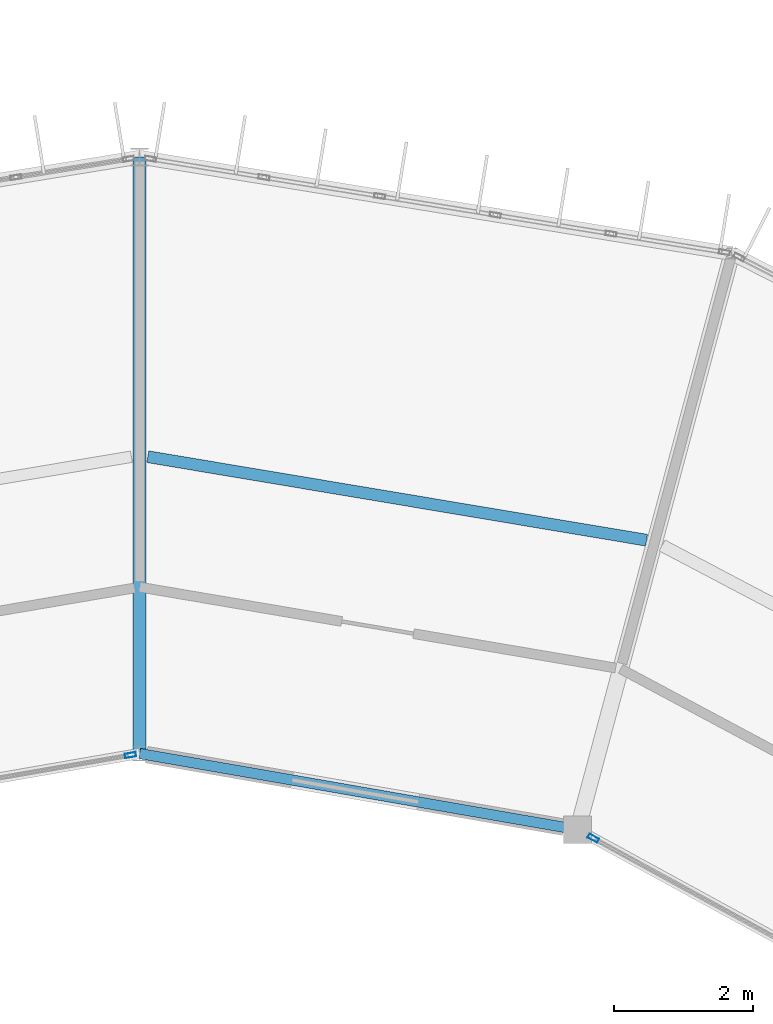
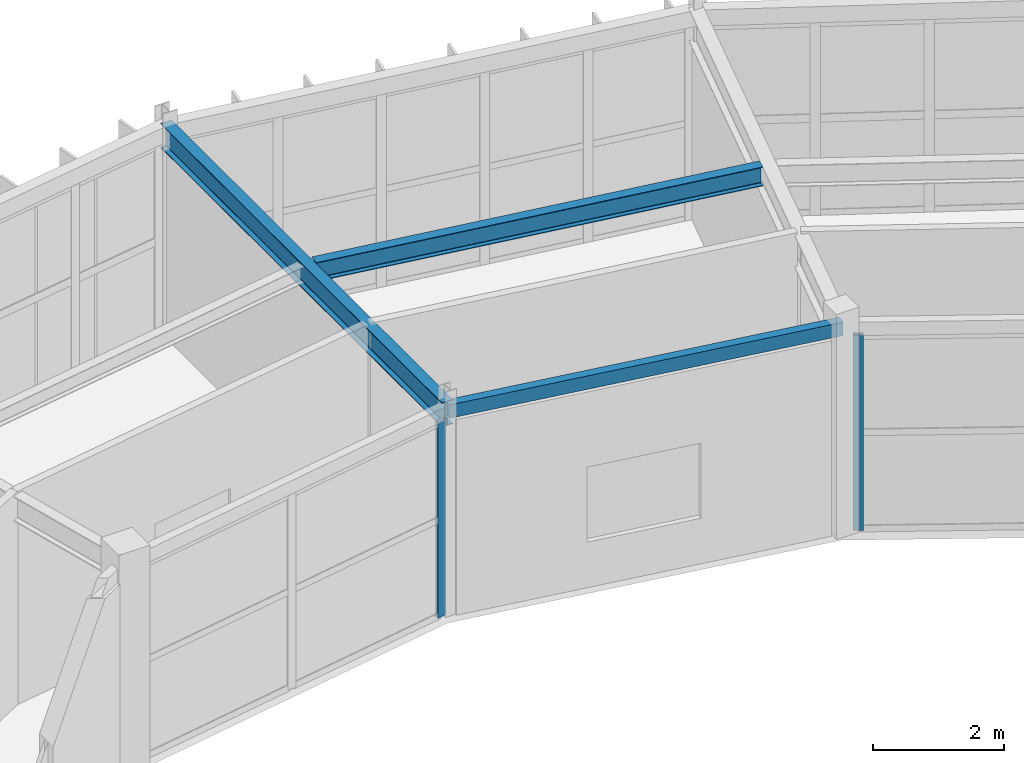
# One storey, part 80 of 134: 3 beams, 2 members, 2 elements without a shape of their own.
"""IFC4 building model written with IfcOpenShell, lengths in metres."""

from ifc_helpers import new_model, si_unit, direction, frame, origin, origin_2d, place, context, subcontext, project, spatial, hollow_rectangle, i_section, extrude, material, material_profile, profile_set, type_object, element, aggregate, save


model = new_model("IFC4")

# Units and contexts
model_context = context("Model", 3, precision=1e-05, world=origin(), true_north=direction((0.0, 1.0)))
body_context = subcontext(model_context, "Body", "Model", "MODEL_VIEW")
ifc_project = project(units=[si_unit("LENGTHUNIT", "METRE"), si_unit("AREAUNIT", "SQUARE_METRE"), si_unit("VOLUMEUNIT", "CUBIC_METRE"), si_unit("PLANEANGLEUNIT", "RADIAN"), si_unit("MASSUNIT", "GRAM", prefix="KILO")], contexts=[model_context])

# Site, building, storey
site_placement = place(None, origin())
site = spatial("IfcSite", under=ifc_project, at=site_placement, CompositionType="ELEMENT")
building_placement = place(site_placement, origin())
building = spatial("IfcBuilding", under=site, at=building_placement, Name="Karori Crest Natural Sciences Institute", CompositionType="ELEMENT")
storey_placement = place(building_placement, frame((0.0, 0.0, 21.699951171875)))
storey = spatial("IfcBuildingStorey", under=building, at=storey_placement, Name="L05", CompositionType="ELEMENT", Elevation=21.699951171875)

# Beams
ifc_material_1 = material(Name="Hollow structural steel AS/NZS 1163 Grade C350", Category="steel")
ifc_material_profile_1 = material_profile(ifc_material_1, hollow_rectangle(XDim=0.14990234375, YDim=0.25, WallThickness=0.009033203125, at=origin_2d()), Name="RHS250x150x9")
ifc_profile_set_1 = profile_set([ifc_material_profile_1], Name="Hollow structural steel AS/NZS 1163 Grade C350")
beam_type_1 = type_object("IfcBeamType", Name="BT-16", PredefinedType="SPANDREL", material=ifc_profile_set_1)
beam_1_placement = place(storey_placement, frame((72.715087890625, 81.002685546875, 3.7900390625), z_axis=(-0.985234948316, 0.171207758638, 0.0), x_axis=(-0.171207758638, -0.985234948316, 0.0)))
element("IfcBeam", 1, at=beam_1_placement, inside=storey, type_object=beam_type_1, Name="Beam B-0560", PredefinedType="SPANDREL", context=body_context, shape_type="SweptSolid", body=[
    extrude(hollow_rectangle(XDim=0.14990234375, YDim=0.25, WallThickness=0.009033203125, at=origin_2d()), origin(), (0.0, 0.0, 1.0), 6.409912109375),
])
ifc_material_2 = material(Name="Structural steel AS/NZS 3679.1 Grade 350", Category="steel")
ifc_material_profile_2 = material_profile(ifc_material_2, i_section(OverallWidth=0.18994140625, OverallDepth=0.4541015625, WebThickness=0.008544921875, FlangeThickness=0.0126953125, FilletRadius=0.010986328125, at=origin_2d()), Name="460UB67.1")
ifc_profile_set_2 = profile_set([ifc_material_profile_2], Name="Structural steel AS/NZS 3679.1 Grade 350")
beam_type_2 = type_object("IfcBeamType", Name="BT-28", PredefinedType="BEAM", material=ifc_profile_set_2)
beam_2_placement = place(storey_placement, frame((66.39990234375, 82.10009765625, 3.713134765625), z_axis=(0.0, 1.0, 0.0), x_axis=(-1.0, 0.0, 0.0)))
element("IfcBeam", 2, at=beam_2_placement, inside=storey, type_object=beam_type_2, Name="Beam B-0565", PredefinedType="BEAM", context=body_context, shape_type="SweptSolid", body=[
    extrude(i_section(OverallWidth=0.18994140625, OverallDepth=0.4541015625, WebThickness=0.008544921875, FlangeThickness=0.0126953125, FilletRadius=0.010986328125, at=origin_2d()), origin(), (0.0, 0.0, 1.0), 8.599853515625),
])
ifc_material_profile_3 = material_profile(ifc_material_2, i_section(OverallWidth=0.1708984375, OverallDepth=0.35595703125, WebThickness=0.00732421875, FlangeThickness=0.011474609375, FilletRadius=0.010986328125, at=origin_2d()), Name="360UB50.7")
ifc_profile_set_3 = profile_set([ifc_material_profile_3], Name="Structural steel AS/NZS 3679.1 Grade 350")
beam_type_3 = type_object("IfcBeamType", Name="BT-30", PredefinedType="BEAM", material=ifc_profile_set_3)
beam_3_placement = place(storey_placement, frame((73.709716796875, 85.176025390625, 3.761962890625), z_axis=(-0.986270575365, 0.165137373632, 0.0), x_axis=(-0.165137373632, -0.986270575365, 0.0)))
element("IfcBeam", 3, at=beam_3_placement, inside=storey, type_object=beam_type_3, Name="Beam B-0562", PredefinedType="BEAM", context=body_context, shape_type="SweptSolid", body=[
    extrude(i_section(OverallWidth=0.1708984375, OverallDepth=0.35595703125, WebThickness=0.00732421875, FlangeThickness=0.011474609375, FilletRadius=0.010986328125, at=origin_2d()), origin(), (0.0, 0.0, 1.0), 7.29150390625),
])

# Curtain wall, member
ifc_material_3 = material(Name="Anodised architectural aluminium 6063-T6", Category="aluminium")
curtain_wall_type_1 = type_object("IfcCurtainWallType", Name="CWT-15", PredefinedType="NOTDEFINED", material=ifc_material_3)
curtain_wall_1_placement = place(storey_placement, origin())
curtain_wall_1 = element("IfcCurtainWall", 4, at=curtain_wall_1_placement, inside=storey, type_object=curtain_wall_type_1, Name="Curtain wall CW-0179", PredefinedType="NOTDEFINED")
ifc_material_profile_4 = material_profile(ifc_material_3, hollow_rectangle(XDim=0.06494140625, YDim=0.159912109375, WallThickness=0.00390625, at=origin_2d()), Name="CWM160x65x4")
ifc_profile_set_4 = profile_set([ifc_material_profile_4], Name="Anodised architectural aluminium 6063-T6")
member_type = type_object("IfcMemberType", Name="CWM-01", PredefinedType="MULLION", material=ifc_profile_set_4)
member_1_placement = place(storey_placement, frame((72.94189453125, 80.87890625, 0.0), z_axis=(0.0, 0.0, 1.0), x_axis=(-0.479631017431, -0.877470277057, 0.0)))
member_1 = element("IfcMember", 5, at=member_1_placement, type_object=member_type, Name="CW-0179 mullion 3", PredefinedType="MULLION", context=body_context, shape_type="SweptSolid", body=[
    extrude(hollow_rectangle(XDim=0.06494140625, YDim=0.159912109375, WallThickness=0.00390625, at=origin_2d()), origin(), (0.0, 0.0, 1.0), 3.650146484375),
])
aggregate(curtain_wall_1, [member_1])

curtain_wall_type_2 = type_object("IfcCurtainWallType", Name="CWT-12", PredefinedType="NOTDEFINED", material=ifc_material_3)
curtain_wall_2_placement = place(storey_placement, origin())
curtain_wall_2 = element("IfcCurtainWall", 6, at=curtain_wall_2_placement, inside=storey, type_object=curtain_wall_type_2, Name="Curtain wall CW-0182", PredefinedType="NOTDEFINED")
member_2_placement = place(storey_placement, frame((66.267578125, 82.076904296875, 0.0), z_axis=(0.0, 0.0, 1.0), x_axis=(0.171173924291, -0.985240827231, 0.0)))
member_2 = element("IfcMember", 7, at=member_2_placement, type_object=member_type, Name="CW-0182 mullion 1", PredefinedType="MULLION", context=body_context, shape_type="SweptSolid", body=[
    extrude(hollow_rectangle(XDim=0.06494140625, YDim=0.159912109375, WallThickness=0.00390625, at=origin_2d()), origin(), (0.0, 0.0, 1.0), 3.650146484375),
])
aggregate(curtain_wall_2, [member_2])

save(model, "model.ifc")
